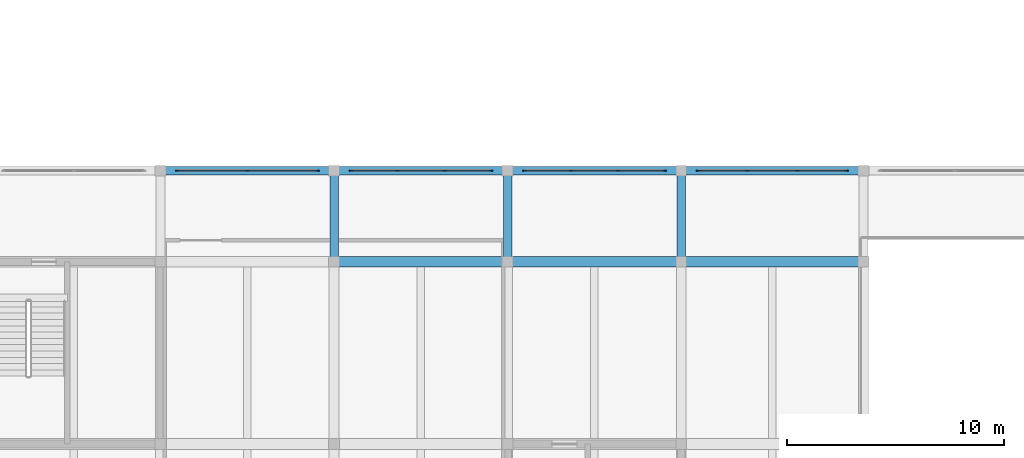
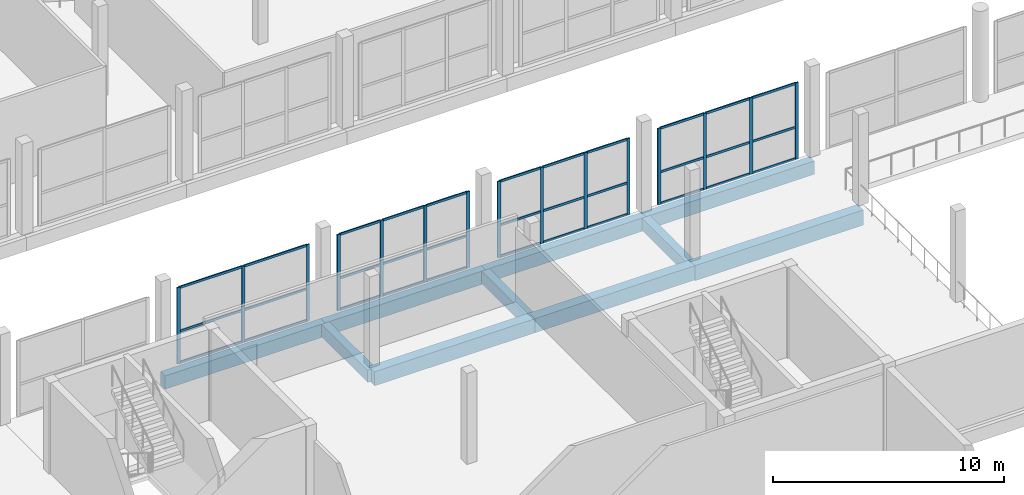
# One storey, part 16 of 47: 48 members, 10 beams, 4 elements without a shape of their own.
"""IFC4 building model written with IfcOpenShell, lengths in metres."""

from ifc_helpers import new_model, si_unit, direction, frame, origin, origin_2d, place, context, subcontext, project, spatial, rectangle, extrude, material, material_profile, profile_set, type_object, element, aggregate, save


model = new_model("IFC4")

# Units and contexts
model_context = context("Model", 3, precision=1e-05, world=origin(), true_north=direction((0.0, 1.0)))
body_context = subcontext(model_context, "Body", "Model", "MODEL_VIEW")
ifc_project = project(units=[si_unit("LENGTHUNIT", "METRE"), si_unit("AREAUNIT", "SQUARE_METRE"), si_unit("VOLUMEUNIT", "CUBIC_METRE"), si_unit("PLANEANGLEUNIT", "RADIAN"), si_unit("MASSUNIT", "GRAM", prefix="KILO")], contexts=[model_context])

# Site, building, storey
site_placement = place(None, origin())
site = spatial("IfcSite", under=ifc_project, at=site_placement, CompositionType="ELEMENT")
building_placement = place(site_placement, origin())
building = spatial("IfcBuilding", under=site, at=building_placement, Name="Vharandega Faculty of Natural Sciences", CompositionType="ELEMENT")
storey_placement = place(building_placement, frame((0.0, 0.0, 5.39990234375)))
storey = spatial("IfcBuildingStorey", under=building, at=storey_placement, Name="L01", CompositionType="ELEMENT", Elevation=5.39990234375)

# Curtain wall, members
ifc_material_1 = material(Name="Aluminium and solar-control glass curtain wall", Category="aluminium")
curtain_wall_type_1 = type_object("IfcCurtainWallType", Name="Unitised Curtain Wall System CW-24", PredefinedType="NOTDEFINED", material=ifc_material_1)
curtain_wall_1_placement = place(storey_placement, origin())
curtain_wall_1 = element("IfcCurtainWall", 1, at=curtain_wall_1_placement, inside=storey, type_object=curtain_wall_type_1, Name="Curtain Wall CW-L01-079", PredefinedType="NOTDEFINED")
ifc_material_2 = material(Name="Thermally broken aluminium 6063-T6", Category="aluminium")
ifc_material_profile_1 = material_profile(ifc_material_2, rectangle(XDim=0.06005859375, YDim=0.159912109375, at=origin_2d()), Name="ALU 60x160")
ifc_profile_set_1 = profile_set([ifc_material_profile_1], Name="Thermally broken aluminium 6063-T6")
member_type_1 = type_object("IfcMemberType", Name="CW Mullion 60x160", PredefinedType="MULLION", material=ifc_profile_set_1)
member_1_placement = place(storey_placement, frame((32.77001953125, 85.0, 0.0), z_axis=(0.0, 0.0, 1.0), x_axis=(0.0, 1.0, 0.0)))
member_1 = element("IfcMember", 2, at=member_1_placement, type_object=member_type_1, Name="CW-24 mullion 1", PredefinedType="MULLION", context=body_context, shape_type="SweptSolid", body=[
    extrude(rectangle(XDim=0.06005859375, YDim=0.159912109375, at=origin_2d()), origin(), (0.0, 0.0, 1.0), 4.02001953125),
])
member_2_placement = place(storey_placement, frame((36.0, 85.0, 0.0), z_axis=(0.0, 0.0, 1.0), x_axis=(0.0, 1.0, 0.0)))
member_2 = element("IfcMember", 3, at=member_2_placement, type_object=member_type_1, Name="CW-24 mullion 2", PredefinedType="MULLION", context=body_context, shape_type="SweptSolid", body=[
    extrude(rectangle(XDim=0.06005859375, YDim=0.159912109375, at=origin_2d()), origin(), (0.0, 0.0, 1.0), 4.02001953125),
])
member_3_placement = place(storey_placement, frame((39.22998046875, 85.0, 0.0), z_axis=(0.0, 0.0, 1.0), x_axis=(0.0, 1.0, 0.0)))
member_3 = element("IfcMember", 4, at=member_3_placement, type_object=member_type_1, Name="CW-24 mullion 3", PredefinedType="MULLION", context=body_context, shape_type="SweptSolid", body=[
    extrude(rectangle(XDim=0.06005859375, YDim=0.159912109375, at=origin_2d()), origin(), (0.0, 0.0, 1.0), 4.02001953125),
])

ifc_material_3 = material(Name="Aluminium and solar-control glass curtain wall", Category="aluminium")
curtain_wall_type_2 = type_object("IfcCurtainWallType", Name="Unitised Curtain Wall System CW-25", PredefinedType="NOTDEFINED", material=ifc_material_3)
curtain_wall_2_placement = place(storey_placement, origin())
curtain_wall_2 = element("IfcCurtainWall", 5, at=curtain_wall_2_placement, inside=storey, type_object=curtain_wall_type_2, Name="Curtain Wall CW-L01-080", PredefinedType="NOTDEFINED")
member_4_placement = place(storey_placement, frame((40.77001953125, 85.0, 0.0), z_axis=(0.0, 0.0, 1.0), x_axis=(0.0, 1.0, 0.0)))
member_4 = element("IfcMember", 6, at=member_4_placement, type_object=member_type_1, Name="CW-25 mullion 1", PredefinedType="MULLION", context=body_context, shape_type="SweptSolid", body=[
    extrude(rectangle(XDim=0.06005859375, YDim=0.159912109375, at=origin_2d()), origin(), (0.0, 0.0, 1.0), 4.02001953125),
])
member_5_placement = place(storey_placement, frame((42.913330078125, 85.0, 0.0), z_axis=(0.0, 0.0, 1.0), x_axis=(0.0, 1.0, 0.0)))
member_5 = element("IfcMember", 7, at=member_5_placement, type_object=member_type_1, Name="CW-25 mullion 2", PredefinedType="MULLION", context=body_context, shape_type="SweptSolid", body=[
    extrude(rectangle(XDim=0.06005859375, YDim=0.159912109375, at=origin_2d()), origin(), (0.0, 0.0, 1.0), 4.02001953125),
])
member_6_placement = place(storey_placement, frame((45.086669921875, 85.0, 0.0), z_axis=(0.0, 0.0, 1.0), x_axis=(0.0, 1.0, 0.0)))
member_6 = element("IfcMember", 8, at=member_6_placement, type_object=member_type_1, Name="CW-25 mullion 3", PredefinedType="MULLION", context=body_context, shape_type="SweptSolid", body=[
    extrude(rectangle(XDim=0.06005859375, YDim=0.159912109375, at=origin_2d()), origin(), (0.0, 0.0, 1.0), 4.02001953125),
])
member_7_placement = place(storey_placement, frame((47.22998046875, 85.0, 0.0), z_axis=(0.0, 0.0, 1.0), x_axis=(0.0, 1.0, 0.0)))
member_7 = element("IfcMember", 9, at=member_7_placement, type_object=member_type_1, Name="CW-25 mullion 4", PredefinedType="MULLION", context=body_context, shape_type="SweptSolid", body=[
    extrude(rectangle(XDim=0.06005859375, YDim=0.159912109375, at=origin_2d()), origin(), (0.0, 0.0, 1.0), 4.02001953125),
])

ifc_material_4 = material(Name="Aluminium and solar-control glass curtain wall", Category="aluminium")
curtain_wall_type_3 = type_object("IfcCurtainWallType", Name="Unitised Curtain Wall System CW-26", PredefinedType="NOTDEFINED", material=ifc_material_4)
curtain_wall_3_placement = place(storey_placement, origin())
curtain_wall_3 = element("IfcCurtainWall", 10, at=curtain_wall_3_placement, inside=storey, type_object=curtain_wall_type_3, Name="Curtain Wall CW-L01-081", PredefinedType="NOTDEFINED")
member_8_placement = place(storey_placement, frame((48.77001953125, 85.0, 0.0), z_axis=(0.0, 0.0, 1.0), x_axis=(0.0, 1.0, 0.0)))
member_8 = element("IfcMember", 11, at=member_8_placement, type_object=member_type_1, Name="CW-26 mullion 1", PredefinedType="MULLION", context=body_context, shape_type="SweptSolid", body=[
    extrude(rectangle(XDim=0.06005859375, YDim=0.159912109375, at=origin_2d()), origin(), (0.0, 0.0, 1.0), 4.02001953125),
])
member_9_placement = place(storey_placement, frame((50.913330078125, 85.0, 0.0), z_axis=(0.0, 0.0, 1.0), x_axis=(0.0, 1.0, 0.0)))
member_9 = element("IfcMember", 12, at=member_9_placement, type_object=member_type_1, Name="CW-26 mullion 2", PredefinedType="MULLION", context=body_context, shape_type="SweptSolid", body=[
    extrude(rectangle(XDim=0.06005859375, YDim=0.159912109375, at=origin_2d()), origin(), (0.0, 0.0, 1.0), 4.02001953125),
])
member_10_placement = place(storey_placement, frame((53.086669921875, 85.0, 0.0), z_axis=(0.0, 0.0, 1.0), x_axis=(0.0, 1.0, 0.0)))
member_10 = element("IfcMember", 13, at=member_10_placement, type_object=member_type_1, Name="CW-26 mullion 3", PredefinedType="MULLION", context=body_context, shape_type="SweptSolid", body=[
    extrude(rectangle(XDim=0.06005859375, YDim=0.159912109375, at=origin_2d()), origin(), (0.0, 0.0, 1.0), 4.02001953125),
])
member_11_placement = place(storey_placement, frame((55.22998046875, 85.0, 0.0), z_axis=(0.0, 0.0, 1.0), x_axis=(0.0, 1.0, 0.0)))
member_11 = element("IfcMember", 14, at=member_11_placement, type_object=member_type_1, Name="CW-26 mullion 4", PredefinedType="MULLION", context=body_context, shape_type="SweptSolid", body=[
    extrude(rectangle(XDim=0.06005859375, YDim=0.159912109375, at=origin_2d()), origin(), (0.0, 0.0, 1.0), 4.02001953125),
])

ifc_material_5 = material(Name="Aluminium and solar-control glass curtain wall", Category="aluminium")
curtain_wall_type_4 = type_object("IfcCurtainWallType", Name="Unitised Curtain Wall System CW-27", PredefinedType="NOTDEFINED", material=ifc_material_5)
curtain_wall_4_placement = place(storey_placement, origin())
curtain_wall_4 = element("IfcCurtainWall", 15, at=curtain_wall_4_placement, inside=storey, type_object=curtain_wall_type_4, Name="Curtain Wall CW-L01-082", PredefinedType="NOTDEFINED")
member_12_placement = place(storey_placement, frame((56.77001953125, 85.0, 0.0), z_axis=(0.0, 0.0, 1.0), x_axis=(0.0, 1.0, 0.0)))
member_12 = element("IfcMember", 16, at=member_12_placement, type_object=member_type_1, Name="CW-27 mullion 1", PredefinedType="MULLION", context=body_context, shape_type="SweptSolid", body=[
    extrude(rectangle(XDim=0.06005859375, YDim=0.159912109375, at=origin_2d()), origin(), (0.0, 0.0, 1.0), 4.02001953125),
])
member_13_placement = place(storey_placement, frame((59.046630859375, 85.0, 0.0), z_axis=(0.0, 0.0, 1.0), x_axis=(0.0, 1.0, 0.0)))
member_13 = element("IfcMember", 17, at=member_13_placement, type_object=member_type_1, Name="CW-27 mullion 2", PredefinedType="MULLION", context=body_context, shape_type="SweptSolid", body=[
    extrude(rectangle(XDim=0.06005859375, YDim=0.159912109375, at=origin_2d()), origin(), (0.0, 0.0, 1.0), 4.02001953125),
])
member_14_placement = place(storey_placement, frame((61.353271484375, 85.0, 0.0), z_axis=(0.0, 0.0, 1.0), x_axis=(0.0, 1.0, 0.0)))
member_14 = element("IfcMember", 18, at=member_14_placement, type_object=member_type_1, Name="CW-27 mullion 3", PredefinedType="MULLION", context=body_context, shape_type="SweptSolid", body=[
    extrude(rectangle(XDim=0.06005859375, YDim=0.159912109375, at=origin_2d()), origin(), (0.0, 0.0, 1.0), 4.02001953125),
])
member_15_placement = place(storey_placement, frame((63.6298828125, 85.0, 0.0), z_axis=(0.0, 0.0, 1.0), x_axis=(0.0, 1.0, 0.0)))
member_15 = element("IfcMember", 19, at=member_15_placement, type_object=member_type_1, Name="CW-27 mullion 4", PredefinedType="MULLION", context=body_context, shape_type="SweptSolid", body=[
    extrude(rectangle(XDim=0.06005859375, YDim=0.159912109375, at=origin_2d()), origin(), (0.0, 0.0, 1.0), 4.02001953125),
])

# Member
ifc_material_6 = material(Name="Thermally broken aluminium 6063-T6", Category="aluminium")
ifc_material_profile_2 = material_profile(ifc_material_6, rectangle(XDim=0.06005859375, YDim=0.1201171875, at=origin_2d()), Name="ALU 60x120")
ifc_profile_set_2 = profile_set([ifc_material_profile_2], Name="Thermally broken aluminium 6063-T6")
member_type_2 = type_object("IfcMemberType", Name="CW Transom 60x120", PredefinedType="USERDEFINED", material=ifc_profile_set_2)
member_16_placement = place(storey_placement, frame((32.800048828125, 85.0, 0.030029296875), z_axis=(1.0, 0.0, 0.0), x_axis=(0.0, 1.0, 0.0)))
member_16 = element("IfcMember", 20, at=member_16_placement, type_object=member_type_2, Name="CW-24 transom 1.1", ObjectType="TRANSOM", PredefinedType="USERDEFINED", context=body_context, shape_type="SweptSolid", body=[
    extrude(rectangle(XDim=0.06005859375, YDim=0.1201171875, at=origin_2d()), origin(), (0.0, 0.0, 1.0), 3.169921875),
])

member_17_placement = place(storey_placement, frame((32.800048828125, 85.0, 1.6884765625), z_axis=(1.0, 0.0, 0.0), x_axis=(0.0, 1.0, 0.0)))
member_17 = element("IfcMember", 21, at=member_17_placement, type_object=member_type_2, Name="CW-24 transom 1.2", ObjectType="TRANSOM", PredefinedType="USERDEFINED", context=body_context, shape_type="SweptSolid", body=[
    extrude(rectangle(XDim=0.06005859375, YDim=0.1201171875, at=origin_2d()), origin(), (0.0, 0.0, 1.0), 3.169921875),
])

member_18_placement = place(storey_placement, frame((32.800048828125, 85.0, 3.989990234375), z_axis=(1.0, 0.0, 0.0), x_axis=(0.0, 1.0, 0.0)))
member_18 = element("IfcMember", 22, at=member_18_placement, type_object=member_type_2, Name="CW-24 transom 1.3", ObjectType="TRANSOM", PredefinedType="USERDEFINED", context=body_context, shape_type="SweptSolid", body=[
    extrude(rectangle(XDim=0.06005859375, YDim=0.1201171875, at=origin_2d()), origin(), (0.0, 0.0, 1.0), 3.169921875),
])

member_19_placement = place(storey_placement, frame((36.030029296875, 85.0, 0.030029296875), z_axis=(1.0, 0.0, 0.0), x_axis=(0.0, 1.0, 0.0)))
member_19 = element("IfcMember", 23, at=member_19_placement, type_object=member_type_2, Name="CW-24 transom 2.1", ObjectType="TRANSOM", PredefinedType="USERDEFINED", context=body_context, shape_type="SweptSolid", body=[
    extrude(rectangle(XDim=0.06005859375, YDim=0.1201171875, at=origin_2d()), origin(), (0.0, 0.0, 1.0), 3.169921875),
])

member_20_placement = place(storey_placement, frame((36.030029296875, 85.0, 1.6884765625), z_axis=(1.0, 0.0, 0.0), x_axis=(0.0, 1.0, 0.0)))
member_20 = element("IfcMember", 24, at=member_20_placement, type_object=member_type_2, Name="CW-24 transom 2.2", ObjectType="TRANSOM", PredefinedType="USERDEFINED", context=body_context, shape_type="SweptSolid", body=[
    extrude(rectangle(XDim=0.06005859375, YDim=0.1201171875, at=origin_2d()), origin(), (0.0, 0.0, 1.0), 3.169921875),
])

member_21_placement = place(storey_placement, frame((36.030029296875, 85.0, 3.989990234375), z_axis=(1.0, 0.0, 0.0), x_axis=(0.0, 1.0, 0.0)))
member_21 = element("IfcMember", 25, at=member_21_placement, type_object=member_type_2, Name="CW-24 transom 2.3", ObjectType="TRANSOM", PredefinedType="USERDEFINED", context=body_context, shape_type="SweptSolid", body=[
    extrude(rectangle(XDim=0.06005859375, YDim=0.1201171875, at=origin_2d()), origin(), (0.0, 0.0, 1.0), 3.169921875),
])

aggregate(curtain_wall_1, [member_1, member_2, member_3, member_16, member_17, member_18, member_19, member_20, member_21])

member_22_placement = place(storey_placement, frame((40.800048828125, 85.0, 0.030029296875), z_axis=(1.0, 0.0, 0.0), x_axis=(0.0, 1.0, 0.0)))
member_22 = element("IfcMember", 26, at=member_22_placement, type_object=member_type_2, Name="CW-25 transom 1.1", ObjectType="TRANSOM", PredefinedType="USERDEFINED", context=body_context, shape_type="SweptSolid", body=[
    extrude(rectangle(XDim=0.06005859375, YDim=0.1201171875, at=origin_2d()), origin(), (0.0, 0.0, 1.0), 2.083251953125),
])

member_23_placement = place(storey_placement, frame((40.800048828125, 85.0, 1.6884765625), z_axis=(1.0, 0.0, 0.0), x_axis=(0.0, 1.0, 0.0)))
member_23 = element("IfcMember", 27, at=member_23_placement, type_object=member_type_2, Name="CW-25 transom 1.2", ObjectType="TRANSOM", PredefinedType="USERDEFINED", context=body_context, shape_type="SweptSolid", body=[
    extrude(rectangle(XDim=0.06005859375, YDim=0.1201171875, at=origin_2d()), origin(), (0.0, 0.0, 1.0), 2.083251953125),
])

member_24_placement = place(storey_placement, frame((40.800048828125, 85.0, 3.989990234375), z_axis=(1.0, 0.0, 0.0), x_axis=(0.0, 1.0, 0.0)))
member_24 = element("IfcMember", 28, at=member_24_placement, type_object=member_type_2, Name="CW-25 transom 1.3", ObjectType="TRANSOM", PredefinedType="USERDEFINED", context=body_context, shape_type="SweptSolid", body=[
    extrude(rectangle(XDim=0.06005859375, YDim=0.1201171875, at=origin_2d()), origin(), (0.0, 0.0, 1.0), 2.083251953125),
])

member_25_placement = place(storey_placement, frame((42.943359375, 85.0, 0.030029296875), z_axis=(1.0, 0.0, 0.0), x_axis=(0.0, 1.0, 0.0)))
member_25 = element("IfcMember", 29, at=member_25_placement, type_object=member_type_2, Name="CW-25 transom 2.1", ObjectType="TRANSOM", PredefinedType="USERDEFINED", context=body_context, shape_type="SweptSolid", body=[
    extrude(rectangle(XDim=0.06005859375, YDim=0.1201171875, at=origin_2d()), origin(), (0.0, 0.0, 1.0), 2.11328125),
])

member_26_placement = place(storey_placement, frame((42.943359375, 85.0, 1.6884765625), z_axis=(1.0, 0.0, 0.0), x_axis=(0.0, 1.0, 0.0)))
member_26 = element("IfcMember", 30, at=member_26_placement, type_object=member_type_2, Name="CW-25 transom 2.2", ObjectType="TRANSOM", PredefinedType="USERDEFINED", context=body_context, shape_type="SweptSolid", body=[
    extrude(rectangle(XDim=0.06005859375, YDim=0.1201171875, at=origin_2d()), origin(), (0.0, 0.0, 1.0), 2.11328125),
])

member_27_placement = place(storey_placement, frame((42.943359375, 85.0, 3.989990234375), z_axis=(1.0, 0.0, 0.0), x_axis=(0.0, 1.0, 0.0)))
member_27 = element("IfcMember", 31, at=member_27_placement, type_object=member_type_2, Name="CW-25 transom 2.3", ObjectType="TRANSOM", PredefinedType="USERDEFINED", context=body_context, shape_type="SweptSolid", body=[
    extrude(rectangle(XDim=0.06005859375, YDim=0.1201171875, at=origin_2d()), origin(), (0.0, 0.0, 1.0), 2.11328125),
])

member_28_placement = place(storey_placement, frame((45.11669921875, 85.0, 0.030029296875), z_axis=(1.0, 0.0, 0.0), x_axis=(0.0, 1.0, 0.0)))
member_28 = element("IfcMember", 32, at=member_28_placement, type_object=member_type_2, Name="CW-25 transom 3.1", ObjectType="TRANSOM", PredefinedType="USERDEFINED", context=body_context, shape_type="SweptSolid", body=[
    extrude(rectangle(XDim=0.06005859375, YDim=0.1201171875, at=origin_2d()), origin(), (0.0, 0.0, 1.0), 2.083251953125),
])

member_29_placement = place(storey_placement, frame((45.11669921875, 85.0, 1.6884765625), z_axis=(1.0, 0.0, 0.0), x_axis=(0.0, 1.0, 0.0)))
member_29 = element("IfcMember", 33, at=member_29_placement, type_object=member_type_2, Name="CW-25 transom 3.2", ObjectType="TRANSOM", PredefinedType="USERDEFINED", context=body_context, shape_type="SweptSolid", body=[
    extrude(rectangle(XDim=0.06005859375, YDim=0.1201171875, at=origin_2d()), origin(), (0.0, 0.0, 1.0), 2.083251953125),
])

member_30_placement = place(storey_placement, frame((45.11669921875, 85.0, 3.989990234375), z_axis=(1.0, 0.0, 0.0), x_axis=(0.0, 1.0, 0.0)))
member_30 = element("IfcMember", 34, at=member_30_placement, type_object=member_type_2, Name="CW-25 transom 3.3", ObjectType="TRANSOM", PredefinedType="USERDEFINED", context=body_context, shape_type="SweptSolid", body=[
    extrude(rectangle(XDim=0.06005859375, YDim=0.1201171875, at=origin_2d()), origin(), (0.0, 0.0, 1.0), 2.083251953125),
])

aggregate(curtain_wall_2, [member_4, member_5, member_6, member_7, member_22, member_23, member_24, member_25, member_26, member_27, member_28, member_29, member_30])

member_31_placement = place(storey_placement, frame((48.800048828125, 85.0, 0.030029296875), z_axis=(1.0, 0.0, 0.0), x_axis=(0.0, 1.0, 0.0)))
member_31 = element("IfcMember", 35, at=member_31_placement, type_object=member_type_2, Name="CW-26 transom 1.1", ObjectType="TRANSOM", PredefinedType="USERDEFINED", context=body_context, shape_type="SweptSolid", body=[
    extrude(rectangle(XDim=0.06005859375, YDim=0.1201171875, at=origin_2d()), origin(), (0.0, 0.0, 1.0), 2.083251953125),
])

member_32_placement = place(storey_placement, frame((48.800048828125, 85.0, 1.6884765625), z_axis=(1.0, 0.0, 0.0), x_axis=(0.0, 1.0, 0.0)))
member_32 = element("IfcMember", 36, at=member_32_placement, type_object=member_type_2, Name="CW-26 transom 1.2", ObjectType="TRANSOM", PredefinedType="USERDEFINED", context=body_context, shape_type="SweptSolid", body=[
    extrude(rectangle(XDim=0.06005859375, YDim=0.1201171875, at=origin_2d()), origin(), (0.0, 0.0, 1.0), 2.083251953125),
])

member_33_placement = place(storey_placement, frame((48.800048828125, 85.0, 3.989990234375), z_axis=(1.0, 0.0, 0.0), x_axis=(0.0, 1.0, 0.0)))
member_33 = element("IfcMember", 37, at=member_33_placement, type_object=member_type_2, Name="CW-26 transom 1.3", ObjectType="TRANSOM", PredefinedType="USERDEFINED", context=body_context, shape_type="SweptSolid", body=[
    extrude(rectangle(XDim=0.06005859375, YDim=0.1201171875, at=origin_2d()), origin(), (0.0, 0.0, 1.0), 2.083251953125),
])

member_34_placement = place(storey_placement, frame((50.943359375, 85.0, 0.030029296875), z_axis=(1.0, 0.0, 0.0), x_axis=(0.0, 1.0, 0.0)))
member_34 = element("IfcMember", 38, at=member_34_placement, type_object=member_type_2, Name="CW-26 transom 2.1", ObjectType="TRANSOM", PredefinedType="USERDEFINED", context=body_context, shape_type="SweptSolid", body=[
    extrude(rectangle(XDim=0.06005859375, YDim=0.1201171875, at=origin_2d()), origin(), (0.0, 0.0, 1.0), 2.11328125),
])

member_35_placement = place(storey_placement, frame((50.943359375, 85.0, 1.6884765625), z_axis=(1.0, 0.0, 0.0), x_axis=(0.0, 1.0, 0.0)))
member_35 = element("IfcMember", 39, at=member_35_placement, type_object=member_type_2, Name="CW-26 transom 2.2", ObjectType="TRANSOM", PredefinedType="USERDEFINED", context=body_context, shape_type="SweptSolid", body=[
    extrude(rectangle(XDim=0.06005859375, YDim=0.1201171875, at=origin_2d()), origin(), (0.0, 0.0, 1.0), 2.11328125),
])

member_36_placement = place(storey_placement, frame((50.943359375, 85.0, 3.989990234375), z_axis=(1.0, 0.0, 0.0), x_axis=(0.0, 1.0, 0.0)))
member_36 = element("IfcMember", 40, at=member_36_placement, type_object=member_type_2, Name="CW-26 transom 2.3", ObjectType="TRANSOM", PredefinedType="USERDEFINED", context=body_context, shape_type="SweptSolid", body=[
    extrude(rectangle(XDim=0.06005859375, YDim=0.1201171875, at=origin_2d()), origin(), (0.0, 0.0, 1.0), 2.11328125),
])

member_37_placement = place(storey_placement, frame((53.11669921875, 85.0, 0.030029296875), z_axis=(1.0, 0.0, 0.0), x_axis=(0.0, 1.0, 0.0)))
member_37 = element("IfcMember", 41, at=member_37_placement, type_object=member_type_2, Name="CW-26 transom 3.1", ObjectType="TRANSOM", PredefinedType="USERDEFINED", context=body_context, shape_type="SweptSolid", body=[
    extrude(rectangle(XDim=0.06005859375, YDim=0.1201171875, at=origin_2d()), origin(), (0.0, 0.0, 1.0), 2.083251953125),
])

member_38_placement = place(storey_placement, frame((53.11669921875, 85.0, 1.6884765625), z_axis=(1.0, 0.0, 0.0), x_axis=(0.0, 1.0, 0.0)))
member_38 = element("IfcMember", 42, at=member_38_placement, type_object=member_type_2, Name="CW-26 transom 3.2", ObjectType="TRANSOM", PredefinedType="USERDEFINED", context=body_context, shape_type="SweptSolid", body=[
    extrude(rectangle(XDim=0.06005859375, YDim=0.1201171875, at=origin_2d()), origin(), (0.0, 0.0, 1.0), 2.083251953125),
])

member_39_placement = place(storey_placement, frame((53.11669921875, 85.0, 3.989990234375), z_axis=(1.0, 0.0, 0.0), x_axis=(0.0, 1.0, 0.0)))
member_39 = element("IfcMember", 43, at=member_39_placement, type_object=member_type_2, Name="CW-26 transom 3.3", ObjectType="TRANSOM", PredefinedType="USERDEFINED", context=body_context, shape_type="SweptSolid", body=[
    extrude(rectangle(XDim=0.06005859375, YDim=0.1201171875, at=origin_2d()), origin(), (0.0, 0.0, 1.0), 2.083251953125),
])

aggregate(curtain_wall_3, [member_8, member_9, member_10, member_11, member_31, member_32, member_33, member_34, member_35, member_36, member_37, member_38, member_39])

member_40_placement = place(storey_placement, frame((56.800048828125, 85.0, 0.030029296875), z_axis=(1.0, 0.0, 0.0), x_axis=(0.0, 1.0, 0.0)))
member_40 = element("IfcMember", 44, at=member_40_placement, type_object=member_type_2, Name="CW-27 transom 1.1", ObjectType="TRANSOM", PredefinedType="USERDEFINED", context=body_context, shape_type="SweptSolid", body=[
    extrude(rectangle(XDim=0.06005859375, YDim=0.1201171875, at=origin_2d()), origin(), (0.0, 0.0, 1.0), 2.216552734375),
])

member_41_placement = place(storey_placement, frame((56.800048828125, 85.0, 1.6884765625), z_axis=(1.0, 0.0, 0.0), x_axis=(0.0, 1.0, 0.0)))
member_41 = element("IfcMember", 45, at=member_41_placement, type_object=member_type_2, Name="CW-27 transom 1.2", ObjectType="TRANSOM", PredefinedType="USERDEFINED", context=body_context, shape_type="SweptSolid", body=[
    extrude(rectangle(XDim=0.06005859375, YDim=0.1201171875, at=origin_2d()), origin(), (0.0, 0.0, 1.0), 2.216552734375),
])

member_42_placement = place(storey_placement, frame((56.800048828125, 85.0, 3.989990234375), z_axis=(1.0, 0.0, 0.0), x_axis=(0.0, 1.0, 0.0)))
member_42 = element("IfcMember", 46, at=member_42_placement, type_object=member_type_2, Name="CW-27 transom 1.3", ObjectType="TRANSOM", PredefinedType="USERDEFINED", context=body_context, shape_type="SweptSolid", body=[
    extrude(rectangle(XDim=0.06005859375, YDim=0.1201171875, at=origin_2d()), origin(), (0.0, 0.0, 1.0), 2.216552734375),
])

member_43_placement = place(storey_placement, frame((59.07666015625, 85.0, 0.030029296875), z_axis=(1.0, 0.0, 0.0), x_axis=(0.0, 1.0, 0.0)))
member_43 = element("IfcMember", 47, at=member_43_placement, type_object=member_type_2, Name="CW-27 transom 2.1", ObjectType="TRANSOM", PredefinedType="USERDEFINED", context=body_context, shape_type="SweptSolid", body=[
    extrude(rectangle(XDim=0.06005859375, YDim=0.1201171875, at=origin_2d()), origin(), (0.0, 0.0, 1.0), 2.24658203125),
])

member_44_placement = place(storey_placement, frame((59.07666015625, 85.0, 1.6884765625), z_axis=(1.0, 0.0, 0.0), x_axis=(0.0, 1.0, 0.0)))
member_44 = element("IfcMember", 48, at=member_44_placement, type_object=member_type_2, Name="CW-27 transom 2.2", ObjectType="TRANSOM", PredefinedType="USERDEFINED", context=body_context, shape_type="SweptSolid", body=[
    extrude(rectangle(XDim=0.06005859375, YDim=0.1201171875, at=origin_2d()), origin(), (0.0, 0.0, 1.0), 2.24658203125),
])

member_45_placement = place(storey_placement, frame((59.07666015625, 85.0, 3.989990234375), z_axis=(1.0, 0.0, 0.0), x_axis=(0.0, 1.0, 0.0)))
member_45 = element("IfcMember", 49, at=member_45_placement, type_object=member_type_2, Name="CW-27 transom 2.3", ObjectType="TRANSOM", PredefinedType="USERDEFINED", context=body_context, shape_type="SweptSolid", body=[
    extrude(rectangle(XDim=0.06005859375, YDim=0.1201171875, at=origin_2d()), origin(), (0.0, 0.0, 1.0), 2.24658203125),
])

member_46_placement = place(storey_placement, frame((61.38330078125, 85.0, 0.030029296875), z_axis=(1.0, 0.0, 0.0), x_axis=(0.0, 1.0, 0.0)))
member_46 = element("IfcMember", 50, at=member_46_placement, type_object=member_type_2, Name="CW-27 transom 3.1", ObjectType="TRANSOM", PredefinedType="USERDEFINED", context=body_context, shape_type="SweptSolid", body=[
    extrude(rectangle(XDim=0.06005859375, YDim=0.1201171875, at=origin_2d()), origin(), (0.0, 0.0, 1.0), 2.216796875),
])

member_47_placement = place(storey_placement, frame((61.38330078125, 85.0, 1.6884765625), z_axis=(1.0, 0.0, 0.0), x_axis=(0.0, 1.0, 0.0)))
member_47 = element("IfcMember", 51, at=member_47_placement, type_object=member_type_2, Name="CW-27 transom 3.2", ObjectType="TRANSOM", PredefinedType="USERDEFINED", context=body_context, shape_type="SweptSolid", body=[
    extrude(rectangle(XDim=0.06005859375, YDim=0.1201171875, at=origin_2d()), origin(), (0.0, 0.0, 1.0), 2.216796875),
])

member_48_placement = place(storey_placement, frame((61.38330078125, 85.0, 3.989990234375), z_axis=(1.0, 0.0, 0.0), x_axis=(0.0, 1.0, 0.0)))
member_48 = element("IfcMember", 52, at=member_48_placement, type_object=member_type_2, Name="CW-27 transom 3.3", ObjectType="TRANSOM", PredefinedType="USERDEFINED", context=body_context, shape_type="SweptSolid", body=[
    extrude(rectangle(XDim=0.06005859375, YDim=0.1201171875, at=origin_2d()), origin(), (0.0, 0.0, 1.0), 2.216796875),
])

aggregate(curtain_wall_4, [member_12, member_13, member_14, member_15, member_40, member_41, member_42, member_43, member_44, member_45, member_46, member_47, member_48])

# Beams
ifc_material_7 = material(Name="Concrete C40/50", Category="concrete")
ifc_material_profile_3 = material_profile(ifc_material_7, rectangle(XDim=0.39990234375, YDim=0.64990234375, at=origin_2d()), Name="RC 400x650")
ifc_profile_set_3 = profile_set([ifc_material_profile_3], Name="Concrete C40/50")
beam_type_1 = type_object("IfcBeamType", Name="Podium Floor Beam 400x650", PredefinedType="BEAM", material=ifc_profile_set_3)
for number, where, z_axis, x_axis, name in (
    (53, (40.0, 80.800048828125, -0.60498046875), (0.0, 1.0, 0.0), (-1.0, 0.0, 0.0), "Beam L01 6/L-M"),
    (54, (48.0, 80.800048828125, -0.60498046875), (0.0, 1.0, 0.0), (-1.0, 0.0, 0.0), "Beam L01 7/L-M"),
    (55, (56.0, 80.800048828125, -0.60498046875), (0.0, 1.0, 0.0), (-1.0, 0.0, 0.0), "Beam L01 8/L-M"),
):
    element("IfcBeam", number, at=place(storey_placement, frame(where, z_axis=z_axis, x_axis=x_axis)), inside=storey, type_object=beam_type_1, Name=name, PredefinedType="BEAM", context=body_context, shape_type="SweptSolid", body=[
        extrude(rectangle(XDim=0.39990234375, YDim=0.64990234375, at=origin_2d()), origin(), (0.0, 0.0, 1.0), 4.199951171875),
    ])
ifc_material_8 = material(Name="Concrete C40/50", Category="concrete")
ifc_material_profile_4 = material_profile(ifc_material_8, rectangle(XDim=0.5, YDim=0.800048828125, at=origin_2d()), Name="RC 500x800")
ifc_profile_set_4 = profile_set([ifc_material_profile_4], Name="Concrete C40/50")
beam_type_2 = type_object("IfcBeamType", Name="Podium Heavy Girder 500x800", PredefinedType="BEAM", material=ifc_profile_set_4)
beam_1_placement = place(storey_placement, frame((56.0, 80.800048828125, -0.679931640625), z_axis=(1.0, 0.0, 0.0), x_axis=(0.0, 1.0, 0.0)))
element("IfcBeam", 56, at=beam_1_placement, inside=storey, type_object=beam_type_2, Name="Beam L01 L/8-9", PredefinedType="BEAM", context=body_context, shape_type="SweptSolid", body=[
    extrude(rectangle(XDim=0.5, YDim=0.800048828125, at=origin_2d()), origin(), (0.0, 0.0, 1.0), 8.39990234375),
])
ifc_material_9 = material(Name="Concrete C40/50", Category="concrete")
ifc_material_profile_5 = material_profile(ifc_material_9, rectangle(XDim=0.5, YDim=0.75, at=origin_2d()), Name="RC 500x750")
ifc_profile_set_5 = profile_set([ifc_material_profile_5], Name="Concrete C40/50")
beam_type_3 = type_object("IfcBeamType", Name="Podium Primary Beam 500x750", PredefinedType="BEAM", material=ifc_profile_set_5)
for number, where, z_axis, x_axis, name in (
    (57, (40.0, 80.800048828125, -0.65478515625), (1.0, 0.0, 0.0), (0.0, 1.0, 0.0), "Beam L01 L/6-7"),
    (58, (48.0, 80.800048828125, -0.65478515625), (1.0, 0.0, 0.0), (0.0, 1.0, 0.0), "Beam L01 L/7-8"),
):
    element("IfcBeam", number, at=place(storey_placement, frame(where, z_axis=z_axis, x_axis=x_axis)), inside=storey, type_object=beam_type_3, Name=name, PredefinedType="BEAM", context=body_context, shape_type="SweptSolid", body=[
        extrude(rectangle(XDim=0.5, YDim=0.75, at=origin_2d()), origin(), (0.0, 0.0, 1.0), 8.0),
    ])
ifc_material_10 = material(Name="Concrete C40/50", Category="concrete")
ifc_material_profile_6 = material_profile(ifc_material_10, rectangle(XDim=0.39990234375, YDim=0.699951171875, at=origin_2d()), Name="RC 400x700")
ifc_profile_set_6 = profile_set([ifc_material_profile_6], Name="Concrete C40/50")
beam_type_4 = type_object("IfcBeamType", Name="Podium Spandrel Beam 400x700", PredefinedType="SPANDREL", material=ifc_profile_set_6)
for number, where, z_axis, x_axis, name in (
    (59, (32.0, 85.0, -0.6298828125), (1.0, 0.0, 0.0), (0.0, 1.0, 0.0), "Beam L01 M/5-6"),
    (60, (40.0, 85.0, -0.6298828125), (1.0, 0.0, 0.0), (0.0, 1.0, 0.0), "Beam L01 M/6-7"),
    (61, (48.0, 85.0, -0.6298828125), (1.0, 0.0, 0.0), (0.0, 1.0, 0.0), "Beam L01 M/7-8"),
):
    element("IfcBeam", number, at=place(storey_placement, frame(where, z_axis=z_axis, x_axis=x_axis)), inside=storey, type_object=beam_type_4, Name=name, PredefinedType="SPANDREL", context=body_context, shape_type="SweptSolid", body=[
        extrude(rectangle(XDim=0.39990234375, YDim=0.699951171875, at=origin_2d()), origin(), (0.0, 0.0, 1.0), 8.0),
    ])
beam_2_placement = place(storey_placement, frame((56.0, 85.0, -0.6298828125), z_axis=(1.0, 0.0, 0.0), x_axis=(0.0, 1.0, 0.0)))
element("IfcBeam", 62, at=beam_2_placement, inside=storey, type_object=beam_type_4, Name="Beam L01 M/8-9", PredefinedType="SPANDREL", context=body_context, shape_type="SweptSolid", body=[
    extrude(rectangle(XDim=0.39990234375, YDim=0.699951171875, at=origin_2d()), origin(), (0.0, 0.0, 1.0), 8.39990234375),
])

save(model, "model.ifc")
